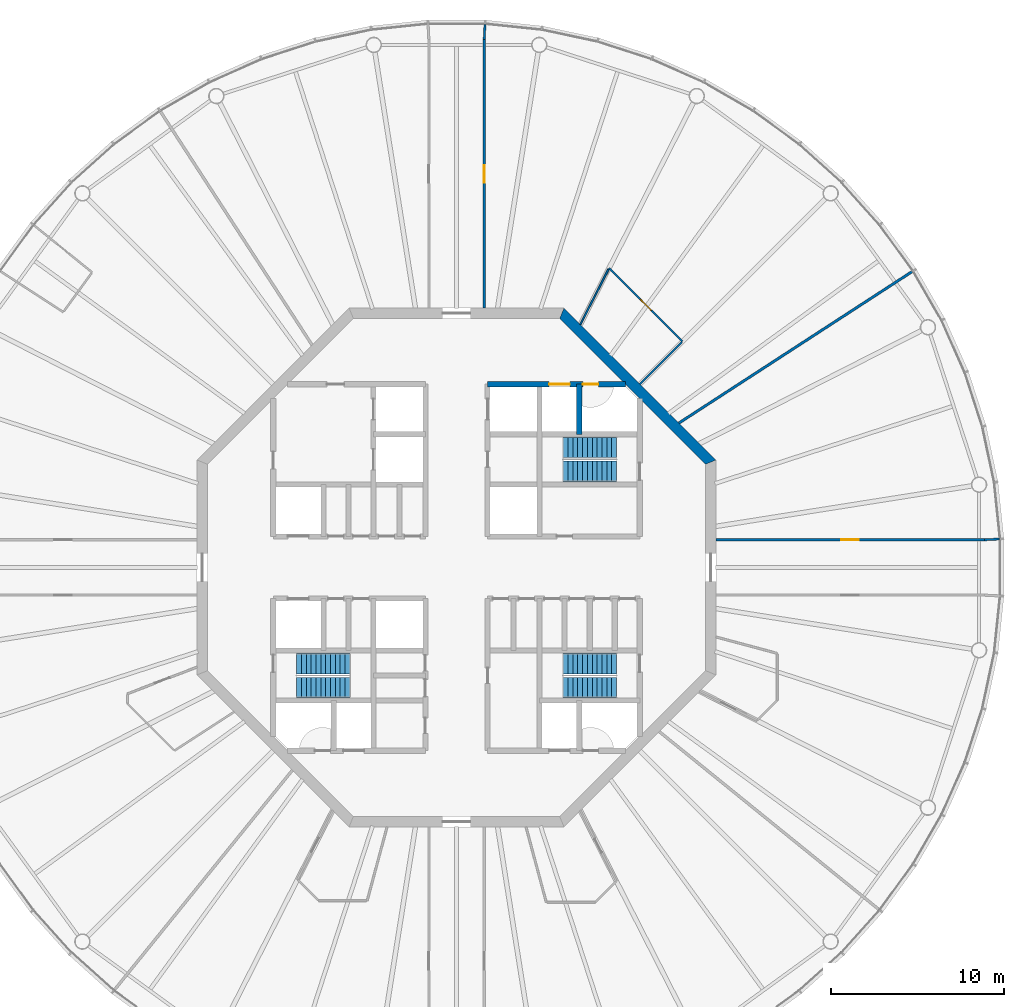
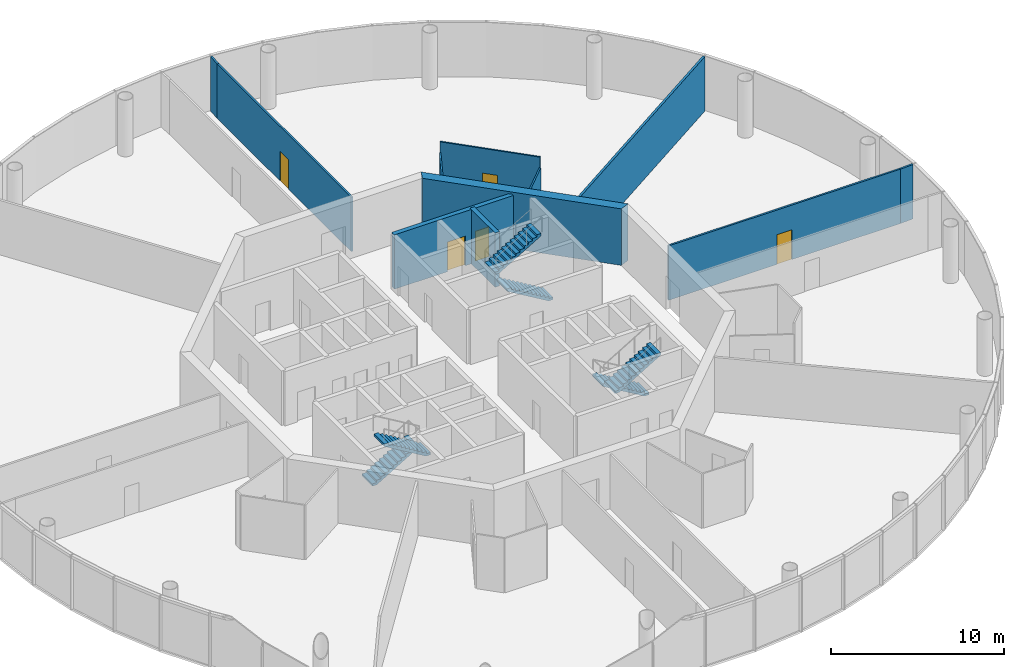
# One storey, part 6 of 13: 11 walls, 6 stair flights, 5 doors, 5 openings, 3 elements without a shape of their own.
"""IFC4 building model written with IfcOpenShell, lengths in metres."""

from ifc_helpers import new_model, si_unit, direction, frame, frame_2d, origin, place, context, subcontext, project, spatial, polyline, rectangle, outline, extrude, material, layer, layer_set, type_object, element, fill, aggregate, save


model = new_model("IFC4")

# Units and contexts
model_context = context("Model", 3, precision=1e-05, world=origin(), true_north=direction((0.0, 1.0)))
body_context = subcontext(model_context, "Body", "Model", "MODEL_VIEW")
ifc_project = project(units=[si_unit("LENGTHUNIT", "METRE"), si_unit("AREAUNIT", "SQUARE_METRE"), si_unit("VOLUMEUNIT", "CUBIC_METRE"), si_unit("PLANEANGLEUNIT", "RADIAN"), si_unit("MASSUNIT", "GRAM", prefix="KILO")], contexts=[model_context])

# Site, building, storey
site_placement = place(None, origin())
site = spatial("IfcSite", under=ifc_project, at=site_placement, CompositionType="ELEMENT")
building_placement = place(site_placement, origin())
building = spatial("IfcBuilding", under=site, at=building_placement, Name="Entoto Ring Tower", CompositionType="ELEMENT")
storey_placement = place(building_placement, frame((0.0, 0.0, 360.0)))
storey = spatial("IfcBuildingStorey", under=building, at=storey_placement, Name="L83", CompositionType="ELEMENT", Elevation=360.0)

# Wall
ifc_material_1 = material(Name="Concrete C40/50", Category="concrete")
ifc_layer_1 = layer(ifc_material_1, 0.300048828125)
ifc_layer_set_1 = layer_set([ifc_layer_1], Name="Concrete C40/50")
wall_type_1 = type_object("IfcWallType", Name="Core enclosure wall 300 mm reinforced concrete", PredefinedType="SOLIDWALL", material=ifc_layer_set_1)
wall_1_placement = place(storey_placement, frame((97.10009765625, 87.699951171875, 0.0), z_axis=(0.0, 0.0, 1.0), x_axis=(0.0, 1.0, 0.0)))
element("IfcWall", 1, at=wall_1_placement, inside=storey, type_object=wall_type_1, Name="wall-L83-006", PredefinedType="SOLIDWALL", context=body_context, shape_type="SweptSolid", body=[
    extrude(rectangle(XDim=2.900146484375, YDim=0.300048828125, at=frame_2d((1.4501953125, 0.0))), origin(), (0.0, 0.0, 1.0), 3.85009765625),
])

# Wall, openings, doors
wall_2_placement = place(storey_placement, frame((91.800048828125, 90.60009765625, 0.0), z_axis=(0.0, 0.0, 1.0), x_axis=(1.0, 0.0, 0.0)))
wall_2 = element("IfcWall", 2, at=wall_2_placement, inside=storey, type_object=wall_type_1, Name="wall-L83-041", PredefinedType="SOLIDWALL", context=body_context, shape_type="SweptSolid", body=[
    extrude(rectangle(XDim=7.964599609375, YDim=0.300048828125, at=frame_2d((3.982421875, 0.0))), origin(), (0.0, 0.0, 1.0), 3.85009765625),
])
opening_1_placement = place(wall_2_placement, frame((3.550048828125, 0.0, 0.0)))
opening_1 = element("IfcOpeningElement", 3, at=opening_1_placement, cuts=wall_2, Name="Opening LD", PredefinedType="OPENING", context=body_context, shape_type="SweptSolid", body=[
    extrude(rectangle(XDim=1.199951171875, YDim=2.10009765625, at=frame_2d((0.60009765625, 1.050048828125))), frame((0.0, 0.16015625, 0.0), z_axis=(0.0, -1.0, 0.0), x_axis=(1.0, 0.0, 0.0)), (0.0, 0.0, 1.0), 0.320068359375),
])
opening_2_placement = place(wall_2_placement, frame((5.5, 0.0, 0.0)))
opening_2 = element("IfcOpeningElement", 4, at=opening_2_placement, cuts=wall_2, Name="Opening K-32", PredefinedType="OPENING", context=body_context, shape_type="SweptSolid", body=[
    extrude(rectangle(XDim=0.89990234375, YDim=2.10009765625, at=frame_2d((0.449951171875, 1.050048828125))), frame((0.0, 0.16015625, 0.0), z_axis=(0.0, -1.0, 0.0), x_axis=(1.0, 0.0, 0.0)), (0.0, 0.0, 1.0), 0.320068359375),
])
ifc_material_2 = material(Name="Steel and glass door leaf", Category="steel")
ifc_layer_2 = layer(ifc_material_2, 0.050048828125)
ifc_layer_set_2 = layer_set([ifc_layer_2], Name="Steel and glass door leaf")
door_type_1 = type_object("IfcDoorType", Name="Landing door 1200 x 2100 sliding", OperationType="DOUBLE_DOOR_SLIDING", PredefinedType="DOOR", material=ifc_layer_set_2)
door_1_placement = place(opening_1_placement, origin())
door_1 = element("IfcDoor", 5, at=door_1_placement, inside=storey, type_object=door_type_1, Name="Landing door LB1-HR", OperationType="SLIDING_TO_RIGHT", OverallHeight=2.10009765625, OverallWidth=1.199951171875, PredefinedType="DOOR", context=body_context, shape_type="SweptSolid", body=[
    extrude(rectangle(XDim=1.199951171875, YDim=2.10009765625, at=frame_2d((0.60009765625, 1.050048828125))), frame((0.0, 0.02490234375, 0.0), z_axis=(0.0, -1.0, 0.0), x_axis=(1.0, 0.0, 0.0)), (0.0, 0.0, 1.0), 0.050048828125),
])
fill(opening_1, door_1)
ifc_material_3 = material(Name="Steel door leaf, fire rated", Category="steel")
ifc_layer_3 = layer(ifc_material_3, 0.050048828125)
ifc_layer_set_3 = layer_set([ifc_layer_3], Name="Steel door leaf, fire rated")
door_type_2 = type_object("IfcDoorType", Name="Riser door FD60 900 x 2100 single leaf", OperationType="NOTDEFINED", PredefinedType="DOOR", material=ifc_layer_set_3)
door_2_placement = place(opening_2_placement, frame((0.89990234375, 0.0, 0.0), z_axis=(0.0, 0.0, 1.0), x_axis=(-1.0, 0.0, 0.0)))
door_2 = element("IfcDoor", 6, at=door_2_placement, inside=storey, type_object=door_type_2, Name="Door K-32", OperationType="SINGLE_SWING_RIGHT", OverallHeight=2.10009765625, OverallWidth=0.89990234375, PredefinedType="DOOR", context=body_context, shape_type="SweptSolid", body=[
    extrude(rectangle(XDim=0.89990234375, YDim=2.10009765625, at=frame_2d((0.449951171875, 1.050048828125))), frame((0.0, 0.02490234375, 0.0), z_axis=(0.0, -1.0, 0.0), x_axis=(1.0, 0.0, 0.0)), (0.0, 0.0, 1.0), 0.050048828125),
])
fill(opening_2, door_2)

# Wall
ifc_material_4 = material(Name="Concrete C40/50", Category="concrete")
ifc_layer_4 = layer(ifc_material_4, 0.60009765625)
ifc_layer_set_4 = layer_set([ifc_layer_4], Name="Concrete C40/50")
wall_type_2 = type_object("IfcWallType", Name="Core shear wall 600 mm reinforced concrete C40/50", PredefinedType="SHEAR", material=ifc_layer_set_4)
wall_3_placement = place(storey_placement, frame((104.699951171875, 86.0888671875, 0.0), z_axis=(0.0, 0.0, 1.0), x_axis=(-0.707106781187, 0.707106781187, 0.0)))
element("IfcWall", 7, at=wall_3_placement, inside=storey, type_object=wall_type_2, Name="wall-L83-core-1", PredefinedType="SHEAR", context=body_context, shape_type="SweptSolid", body=[
    extrude(outline(polyline([(-0.124267578125, -0.300048828125), (12.30224609375, -0.300048828125), (12.0537109375, 0.300048828125), (0.124267578125, 0.300048828125), (-0.124267578125, -0.300048828125)])), origin(), (0.0, 0.0, 1.0), 4.0),
])

# Wall, opening, door
ifc_material_5 = material(Name="Fire-resisting plasterboard on steel studs", Category="steel")
ifc_layer_5 = layer(ifc_material_5, 0.125)
ifc_layer_set_5 = layer_set([ifc_layer_5], Name="Fire-resisting plasterboard on steel studs")
wall_type_3 = type_object("IfcWallType", Name="Corridor wall 125 mm one-hour plasterboard on steel studs", PredefinedType="PARTITIONING", material=ifc_layer_set_5)
wall_4_placement = place(storey_placement, frame((91.60009765625, 95.0, 0.0), z_axis=(0.0, 0.0, 1.0), x_axis=(0.0, 1.0, 0.0)))
wall_4 = element("IfcWall", 8, at=wall_4_placement, inside=storey, type_object=wall_type_3, Name="partition-L83-006", PredefinedType="PARTITIONING", context=body_context, shape_type="SweptSolid", body=[
    extrude(rectangle(XDim=15.52978515625, YDim=0.125, at=frame_2d((7.764892578125, 0.0))), origin(), (0.0, 0.0, 1.0), 3.85009765625),
])
opening_3_placement = place(wall_4_placement, frame((7.264892578125, 0.0, 0.0)))
opening_3 = element("IfcOpeningElement", 9, at=opening_3_placement, cuts=wall_4, Name="Opening A36-D02", PredefinedType="OPENING", context=body_context, shape_type="SweptSolid", body=[
    extrude(rectangle(XDim=1.0, YDim=2.10009765625, at=frame_2d((0.5, 1.050048828125))), frame((0.0, 0.072509765625, 0.0), z_axis=(0.0, -1.0, 0.0), x_axis=(1.0, 0.0, 0.0)), (0.0, 0.0, 1.0), 0.14501953125),
])
ifc_material_6 = material(Name="Fire-resisting timber door set", Category="wood")
door_type_3 = type_object("IfcDoorType", Name="Door 1000 x 2100 single leaf FD30S fire door", OperationType="NOTDEFINED", PredefinedType="DOOR", material=ifc_material_6)
door_3_placement = place(opening_3_placement, frame((1.0, 0.0, 0.0), z_axis=(0.0, 0.0, 1.0), x_axis=(-1.0, 0.0, 0.0)))
door_3 = element("IfcDoor", 10, at=door_3_placement, inside=storey, type_object=door_type_3, Name="Door A36-D02", OperationType="SINGLE_SWING_RIGHT", OverallHeight=2.10009765625, OverallWidth=1.0, PredefinedType="DOOR", context=body_context, shape_type="SweptSolid", body=[
    extrude(rectangle(XDim=1.0, YDim=2.10009765625, at=frame_2d((0.5, 1.050048828125))), frame((0.0, 0.02490234375, 0.0), z_axis=(0.0, -1.0, 0.0), x_axis=(1.0, 0.0, 0.0)), (0.0, 0.0, 1.0), 0.050048828125),
])
fill(opening_3, door_3)

wall_5_placement = place(storey_placement, frame((105.0, 81.60009765625, 0.0), z_axis=(0.0, 0.0, 1.0), x_axis=(1.0, 0.0, 0.0)))
wall_5 = element("IfcWall", 11, at=wall_5_placement, inside=storey, type_object=wall_type_3, Name="partition-L83-008", PredefinedType="PARTITIONING", context=body_context, shape_type="SweptSolid", body=[
    extrude(rectangle(XDim=15.52978515625, YDim=0.125, at=frame_2d((7.764892578125, 0.0))), origin(), (0.0, 0.0, 1.0), 3.85009765625),
])
opening_4_placement = place(wall_5_placement, frame((7.264892578125, 0.0, 0.0)))
opening_4 = element("IfcOpeningElement", 12, at=opening_4_placement, cuts=wall_5, Name="Opening A36-D01", PredefinedType="OPENING", context=body_context, shape_type="SweptSolid", body=[
    extrude(rectangle(XDim=1.0, YDim=2.10009765625, at=frame_2d((0.5, 1.050048828125))), frame((0.0, 0.072509765625, 0.0), z_axis=(0.0, -1.0, 0.0), x_axis=(1.0, 0.0, 0.0)), (0.0, 0.0, 1.0), 0.14501953125),
])
door_4_placement = place(opening_4_placement, origin())
door_4 = element("IfcDoor", 13, at=door_4_placement, inside=storey, type_object=door_type_3, Name="Door A36-D01", OperationType="SINGLE_SWING_LEFT", OverallHeight=2.10009765625, OverallWidth=1.0, PredefinedType="DOOR", context=body_context, shape_type="SweptSolid", body=[
    extrude(rectangle(XDim=1.0, YDim=2.10009765625, at=frame_2d((0.5, 1.050048828125))), frame((0.0, 0.02490234375, 0.0), z_axis=(0.0, -1.0, 0.0), x_axis=(1.0, 0.0, 0.0)), (0.0, 0.0, 1.0), 0.050048828125),
])
fill(opening_4, door_4)

# Walls
for number, where, z_axis, x_axis, name in (
    (14, (91.60009765625, 110.533203125, 0.0), (0.0, 0.0, 1.0), (0.052499574911, 0.998620946423, 0.0), "partition-L83-013"),
    (15, (120.533203125, 81.60009765625, 0.0), (0.0, 0.0, 1.0), (0.998620946423, 0.052499574911, 0.0), "partition-L83-015"),
):
    element("IfcWall", number, at=place(storey_placement, frame(where, z_axis=z_axis, x_axis=x_axis)), inside=storey, type_object=wall_type_3, Name=name, PredefinedType="PARTITIONING", context=body_context, shape_type="SweptSolid", body=[
        extrude(rectangle(XDim=0.864990234375, YDim=0.125, at=frame_2d((0.4326171875, 0.0))), origin(), (0.0, 0.0, 1.0), 3.85009765625),
    ])

# Wall, opening, door
ifc_material_7 = material(Name="Plasterboard on steel studs", Category="steel")
ifc_layer_6 = layer(ifc_material_7, 0.10009765625)
ifc_layer_set_6 = layer_set([ifc_layer_6], Name="Plasterboard on steel studs")
wall_type_4 = type_object("IfcWallType", Name="Partition 100 mm plasterboard on steel studs", PredefinedType="PARTITIONING", material=ifc_layer_set_6)
wall_6_placement = place(storey_placement, frame((103.0673828125, 93.0673828125, 0.0), z_axis=(0.0, 0.0, 1.0), x_axis=(-0.707106781187, 0.707106781187, 0.0)))
wall_6 = element("IfcWall", 16, at=wall_6_placement, inside=storey, type_object=wall_type_4, Name="partition-L83-021", PredefinedType="PARTITIONING", context=body_context, shape_type="SweptSolid", body=[
    extrude(rectangle(XDim=6.004638671875, YDim=0.10009765625, at=frame_2d((3.00244140625, 0.0))), origin(), (0.0, 0.0, 1.0), 3.85009765625),
])
opening_5_placement = place(wall_6_placement, frame((2.55224609375, 0.0, 0.0)))
opening_5 = element("IfcOpeningElement", 17, at=opening_5_placement, cuts=wall_6, Name="Opening A36-D03", PredefinedType="OPENING", context=body_context, shape_type="SweptSolid", body=[
    extrude(rectangle(XDim=0.89990234375, YDim=2.10009765625, at=frame_2d((0.449951171875, 1.050048828125))), frame((0.0, 0.06005859375, 0.0), z_axis=(0.0, -1.0, 0.0), x_axis=(1.0, 0.0, 0.0)), (0.0, 0.0, 1.0), 0.1201171875),
])
ifc_material_8 = material(Name="Veneered timber door leaf in timber frame", Category="wood")
door_type_4 = type_object("IfcDoorType", Name="Door 900 x 2100 single leaf timber veneer", OperationType="NOTDEFINED", PredefinedType="DOOR", material=ifc_material_8)
door_5_placement = place(opening_5_placement, origin())
door_5 = element("IfcDoor", 18, at=door_5_placement, inside=storey, type_object=door_type_4, Name="Door A36-D03", OperationType="SINGLE_SWING_RIGHT", OverallHeight=2.10009765625, OverallWidth=0.89990234375, PredefinedType="DOOR", context=body_context, shape_type="SweptSolid", body=[
    extrude(rectangle(XDim=0.89990234375, YDim=2.10009765625, at=frame_2d((0.449951171875, 1.050048828125))), frame((0.0, 0.02490234375, 0.0), z_axis=(0.0, -1.0, 0.0), x_axis=(1.0, 0.0, 0.0)), (0.0, 0.0, 1.0), 0.050048828125),
])
fill(opening_5, door_5)

# Walls
ifc_material_9 = material(Name="Plasterboard on steel studs", Category="steel")
ifc_layer_7 = layer(ifc_material_9, 0.10009765625)
ifc_layer_set_7 = layer_set([ifc_layer_7], Name="Plasterboard on steel studs")
wall_type_5 = type_object("IfcWallType", Name="Partition 100 mm plasterboard on steel studs, 3097 mm high", PredefinedType="PARTITIONING", material=ifc_layer_set_7)
wall_7_placement = place(storey_placement, frame((97.160400390625, 94.052978515625, 0.0), z_axis=(0.0, 0.0, 1.0), x_axis=(0.453973658127, 0.891015105218, 0.0)))
element("IfcWall", 19, at=wall_7_placement, inside=storey, type_object=wall_type_5, Name="partition-L83-033", PredefinedType="PARTITIONING", context=body_context, shape_type="SweptSolid", body=[
    extrude(rectangle(XDim=3.59033203125, YDim=0.10009765625, at=frame_2d((1.795166015625, 0.0))), origin(), (0.0, 0.0, 1.0), 3.096923828125),
])
wall_8_placement = place(storey_placement, frame((100.606689453125, 90.606689453125, 0.0), z_axis=(0.0, 0.0, 1.0), x_axis=(0.707106781187, 0.707106781187, 0.0)))
element("IfcWall", 20, at=wall_8_placement, inside=storey, type_object=wall_type_5, Name="partition-L83-034", PredefinedType="PARTITIONING", context=body_context, shape_type="SweptSolid", body=[
    extrude(rectangle(XDim=3.429931640625, YDim=0.10009765625, at=frame_2d((1.71484375, 0.0))), origin(), (0.0, 0.0, 1.0), 3.096923828125),
])
ifc_material_10 = material(Name="Fire-resisting acoustic plasterboard on steel studs", Category="steel")
ifc_layer_8 = layer(ifc_material_10, 0.14990234375)
ifc_layer_set_8 = layer_set([ifc_layer_8], Name="Fire-resisting acoustic plasterboard on steel studs")
wall_type_6 = type_object("IfcWallType", Name="Party wall 150 mm one-hour acoustic plasterboard on steel studs", PredefinedType="PARTITIONING", material=ifc_layer_set_8)
wall_9_placement = place(storey_placement, frame((102.861083984375, 88.35205078125, 0.0), z_axis=(0.0, 0.0, 1.0), x_axis=(0.838669360937, 0.54464089364, 0.0)))
element("IfcWall", 21, at=wall_9_placement, inside=storey, type_object=wall_type_6, Name="partition-L83-020", PredefinedType="PARTITIONING", context=body_context, shape_type="SweptSolid", body=[
    extrude(rectangle(XDim=16.10498046875, YDim=0.14990234375, at=frame_2d((8.052490234375, 0.0))), origin(), (0.0, 0.0, 1.0), 3.85009765625),
])

# Stair, stair flights
ifc_material_11 = material(Name="Concrete C40/50", Category="concrete")
stair_type = type_object("IfcStairType", Name="Exit stair 1200 mm dog-leg reinforced concrete", PredefinedType="HALF_TURN_STAIR", material=ifc_material_11)
stair_1_placement = place(storey_placement, origin())
stair_1 = element("IfcStair", 22, at=stair_1_placement, inside=storey, type_object=stair_type, Name="Exit stair 1", PredefinedType="HALF_TURN_STAIR")
ifc_material_12 = material(Name="Concrete C40/50", Category="concrete")
stair_flight_type = type_object("IfcStairFlightType", Name="Stair flight 1200 mm reinforced concrete", PredefinedType="STRAIGHT", material=ifc_material_12)
stair_flight_1_placement = place(storey_placement, frame((99.25, 85.550048828125, 0.0), z_axis=(0.0, 0.0, 1.0), x_axis=(-1.0, 0.0, 0.0)))
stair_flight_1 = element("IfcStairFlight", 23, at=stair_flight_1_placement, type_object=stair_flight_type, Name="ST1 flight 1", NumberOfRisers=12, NumberOfTreads=11, PredefinedType="STRAIGHT", RiserHeight=0.166666667, TreadLength=0.28, context=body_context, shape_type="SweptSolid", body=[
    extrude(outline(polyline([(0.0, 0.0), (0.0, 0.166748046875), (0.280029296875, 0.166748046875), (0.280029296875, 0.333251953125), (0.56005859375, 0.333251953125), (0.56005859375, 0.5), (0.840087890625, 0.5), (0.840087890625, 0.666748046875), (1.1201171875, 0.666748046875), (1.1201171875, 0.833251953125), (1.39990234375, 0.833251953125), (1.39990234375, 1.0), (1.679931640625, 1.0), (1.679931640625, 1.166748046875), (1.9599609375, 1.166748046875), (1.9599609375, 1.333251953125), (2.239990234375, 1.333251953125), (2.239990234375, 1.5), (2.52001953125, 1.5), (2.52001953125, 1.666748046875), (2.800048828125, 1.666748046875), (2.800048828125, 1.833251953125), (3.080078125, 1.833251953125), (3.080078125, 2.0), (3.080078125, 1.658935546875), (0.29296875, 0.0), (0.0, 0.0)])), frame((0.0, 0.60009765625, 0.0), z_axis=(0.0, -1.0, 0.0), x_axis=(1.0, 0.0, 0.0)), (0.0, 0.0, 1.0), 1.199951171875),
])
stair_flight_2_placement = place(storey_placement, frame((96.169921875, 86.949951171875, 2.0), z_axis=(0.0, 0.0, 1.0), x_axis=(1.0, 0.0, 0.0)))
stair_flight_2 = element("IfcStairFlight", 24, at=stair_flight_2_placement, type_object=stair_flight_type, Name="ST1 flight 2", NumberOfRisers=12, NumberOfTreads=11, PredefinedType="STRAIGHT", RiserHeight=0.166666667, TreadLength=0.28, context=body_context, shape_type="SweptSolid", body=[
    extrude(outline(polyline([(0.0, 0.0), (0.0, 0.166748046875), (0.280029296875, 0.166748046875), (0.280029296875, 0.333251953125), (0.56005859375, 0.333251953125), (0.56005859375, 0.5), (0.840087890625, 0.5), (0.840087890625, 0.666748046875), (1.1201171875, 0.666748046875), (1.1201171875, 0.833251953125), (1.39990234375, 0.833251953125), (1.39990234375, 1.0), (1.679931640625, 1.0), (1.679931640625, 1.166748046875), (1.9599609375, 1.166748046875), (1.9599609375, 1.333251953125), (2.239990234375, 1.333251953125), (2.239990234375, 1.5), (2.52001953125, 1.5), (2.52001953125, 1.666748046875), (2.800048828125, 1.666748046875), (2.800048828125, 1.833251953125), (3.080078125, 1.833251953125), (3.080078125, 2.0), (3.080078125, 1.658935546875), (0.29296875, 0.0), (0.0, 0.0)])), frame((0.0, 0.60009765625, 0.0), z_axis=(0.0, -1.0, 0.0), x_axis=(1.0, 0.0, 0.0)), (0.0, 0.0, 1.0), 1.199951171875),
])
aggregate(stair_1, [stair_flight_1, stair_flight_2])

stair_2_placement = place(storey_placement, origin())
stair_2 = element("IfcStair", 25, at=stair_2_placement, inside=storey, type_object=stair_type, Name="Exit stair 2", PredefinedType="HALF_TURN_STAIR")
stair_flight_3_placement = place(storey_placement, frame((80.75, 74.449951171875, 0.0), z_axis=(0.0, 0.0, 1.0), x_axis=(1.0, 0.0, 0.0)))
stair_flight_3 = element("IfcStairFlight", 26, at=stair_flight_3_placement, type_object=stair_flight_type, Name="ST2 flight 1", NumberOfRisers=12, NumberOfTreads=11, PredefinedType="STRAIGHT", RiserHeight=0.166666667, TreadLength=0.28, context=body_context, shape_type="SweptSolid", body=[
    extrude(outline(polyline([(0.0, 0.0), (0.0, 0.166748046875), (0.280029296875, 0.166748046875), (0.280029296875, 0.333251953125), (0.56005859375, 0.333251953125), (0.56005859375, 0.5), (0.840087890625, 0.5), (0.840087890625, 0.666748046875), (1.1201171875, 0.666748046875), (1.1201171875, 0.833251953125), (1.39990234375, 0.833251953125), (1.39990234375, 1.0), (1.679931640625, 1.0), (1.679931640625, 1.166748046875), (1.9599609375, 1.166748046875), (1.9599609375, 1.333251953125), (2.239990234375, 1.333251953125), (2.239990234375, 1.5), (2.52001953125, 1.5), (2.52001953125, 1.666748046875), (2.800048828125, 1.666748046875), (2.800048828125, 1.833251953125), (3.080078125, 1.833251953125), (3.080078125, 2.0), (3.080078125, 1.658935546875), (0.29296875, 0.0), (0.0, 0.0)])), frame((0.0, 0.60009765625, 0.0), z_axis=(0.0, -1.0, 0.0), x_axis=(1.0, 0.0, 0.0)), (0.0, 0.0, 1.0), 1.199951171875),
])
stair_flight_4_placement = place(storey_placement, frame((83.830078125, 73.050048828125, 2.0), z_axis=(0.0, 0.0, 1.0), x_axis=(-1.0, 0.0, 0.0)))
stair_flight_4 = element("IfcStairFlight", 27, at=stair_flight_4_placement, type_object=stair_flight_type, Name="ST2 flight 2", NumberOfRisers=12, NumberOfTreads=11, PredefinedType="STRAIGHT", RiserHeight=0.166666667, TreadLength=0.28, context=body_context, shape_type="SweptSolid", body=[
    extrude(outline(polyline([(0.0, 0.0), (0.0, 0.166748046875), (0.280029296875, 0.166748046875), (0.280029296875, 0.333251953125), (0.56005859375, 0.333251953125), (0.56005859375, 0.5), (0.840087890625, 0.5), (0.840087890625, 0.666748046875), (1.1201171875, 0.666748046875), (1.1201171875, 0.833251953125), (1.39990234375, 0.833251953125), (1.39990234375, 1.0), (1.679931640625, 1.0), (1.679931640625, 1.166748046875), (1.9599609375, 1.166748046875), (1.9599609375, 1.333251953125), (2.239990234375, 1.333251953125), (2.239990234375, 1.5), (2.52001953125, 1.5), (2.52001953125, 1.666748046875), (2.800048828125, 1.666748046875), (2.800048828125, 1.833251953125), (3.080078125, 1.833251953125), (3.080078125, 2.0), (3.080078125, 1.658935546875), (0.29296875, 0.0), (0.0, 0.0)])), frame((0.0, 0.60009765625, 0.0), z_axis=(0.0, -1.0, 0.0), x_axis=(1.0, 0.0, 0.0)), (0.0, 0.0, 1.0), 1.199951171875),
])
aggregate(stair_2, [stair_flight_3, stair_flight_4])

stair_3_placement = place(storey_placement, origin())
stair_3 = element("IfcStair", 28, at=stair_3_placement, inside=storey, type_object=stair_type, Name="Exit stair 3", PredefinedType="HALF_TURN_STAIR")
stair_flight_5_placement = place(storey_placement, frame((99.25, 74.449951171875, 0.0), z_axis=(0.0, 0.0, 1.0), x_axis=(-1.0, 0.0, 0.0)))
stair_flight_5 = element("IfcStairFlight", 29, at=stair_flight_5_placement, type_object=stair_flight_type, Name="ST3 flight 1", NumberOfRisers=12, NumberOfTreads=11, PredefinedType="STRAIGHT", RiserHeight=0.166666667, TreadLength=0.28, context=body_context, shape_type="SweptSolid", body=[
    extrude(outline(polyline([(0.0, 0.0), (0.0, 0.166748046875), (0.280029296875, 0.166748046875), (0.280029296875, 0.333251953125), (0.56005859375, 0.333251953125), (0.56005859375, 0.5), (0.840087890625, 0.5), (0.840087890625, 0.666748046875), (1.1201171875, 0.666748046875), (1.1201171875, 0.833251953125), (1.39990234375, 0.833251953125), (1.39990234375, 1.0), (1.679931640625, 1.0), (1.679931640625, 1.166748046875), (1.9599609375, 1.166748046875), (1.9599609375, 1.333251953125), (2.239990234375, 1.333251953125), (2.239990234375, 1.5), (2.52001953125, 1.5), (2.52001953125, 1.666748046875), (2.800048828125, 1.666748046875), (2.800048828125, 1.833251953125), (3.080078125, 1.833251953125), (3.080078125, 2.0), (3.080078125, 1.658935546875), (0.29296875, 0.0), (0.0, 0.0)])), frame((0.0, 0.60009765625, 0.0), z_axis=(0.0, -1.0, 0.0), x_axis=(1.0, 0.0, 0.0)), (0.0, 0.0, 1.0), 1.199951171875),
])
stair_flight_6_placement = place(storey_placement, frame((96.169921875, 73.050048828125, 2.0), z_axis=(0.0, 0.0, 1.0), x_axis=(1.0, 0.0, 0.0)))
stair_flight_6 = element("IfcStairFlight", 30, at=stair_flight_6_placement, type_object=stair_flight_type, Name="ST3 flight 2", NumberOfRisers=12, NumberOfTreads=11, PredefinedType="STRAIGHT", RiserHeight=0.166666667, TreadLength=0.28, context=body_context, shape_type="SweptSolid", body=[
    extrude(outline(polyline([(0.0, 0.0), (0.0, 0.166748046875), (0.280029296875, 0.166748046875), (0.280029296875, 0.333251953125), (0.56005859375, 0.333251953125), (0.56005859375, 0.5), (0.840087890625, 0.5), (0.840087890625, 0.666748046875), (1.1201171875, 0.666748046875), (1.1201171875, 0.833251953125), (1.39990234375, 0.833251953125), (1.39990234375, 1.0), (1.679931640625, 1.0), (1.679931640625, 1.166748046875), (1.9599609375, 1.166748046875), (1.9599609375, 1.333251953125), (2.239990234375, 1.333251953125), (2.239990234375, 1.5), (2.52001953125, 1.5), (2.52001953125, 1.666748046875), (2.800048828125, 1.666748046875), (2.800048828125, 1.833251953125), (3.080078125, 1.833251953125), (3.080078125, 2.0), (3.080078125, 1.658935546875), (0.29296875, 0.0), (0.0, 0.0)])), frame((0.0, 0.60009765625, 0.0), z_axis=(0.0, -1.0, 0.0), x_axis=(1.0, 0.0, 0.0)), (0.0, 0.0, 1.0), 1.199951171875),
])
aggregate(stair_3, [stair_flight_5, stair_flight_6])

save(model, "model.ifc")
